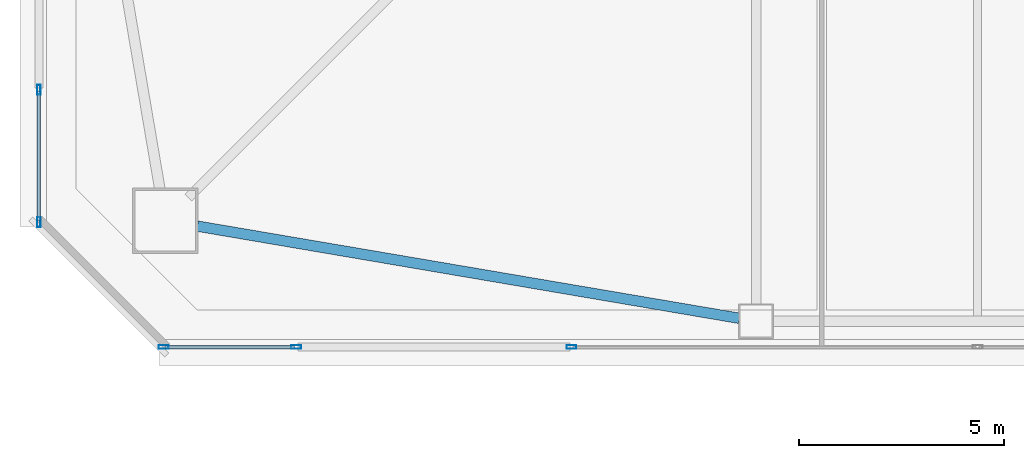
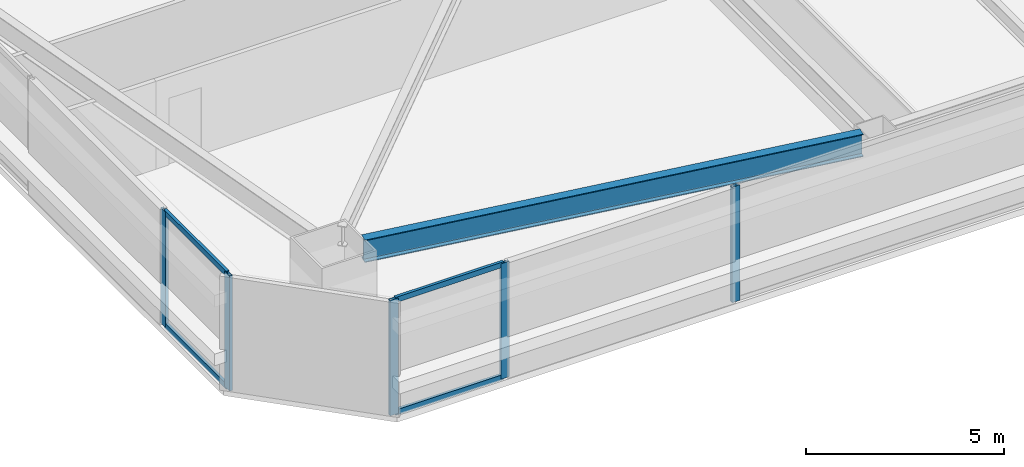
# One storey, part 3 of 51: 9 members, 1 beam, 3 elements without a shape of their own.
"""IFC4 building model written with IfcOpenShell, lengths in metres."""

from ifc_helpers import new_model, si_unit, direction, frame, origin, origin_2d, place, context, subcontext, project, spatial, hollow_rectangle, i_section, extrude, material, material_profile, profile_set, type_object, element, aggregate, save


model = new_model("IFC4")

# Units and contexts
model_context = context("Model", 3, precision=1e-05, world=origin(), true_north=direction((0.0, 1.0)))
body_context = subcontext(model_context, "Body", "Model", "MODEL_VIEW")
ifc_project = project(units=[si_unit("LENGTHUNIT", "METRE"), si_unit("AREAUNIT", "SQUARE_METRE"), si_unit("VOLUMEUNIT", "CUBIC_METRE"), si_unit("PLANEANGLEUNIT", "RADIAN"), si_unit("MASSUNIT", "GRAM", prefix="KILO")], contexts=[model_context])

# Site, building, storey
site_placement = place(None, origin())
site = spatial("IfcSite", under=ifc_project, at=site_placement, CompositionType="ELEMENT")
building_placement = place(site_placement, origin())
building = spatial("IfcBuilding", under=site, at=building_placement, Name="Tashvorn Skyway Center", CompositionType="ELEMENT")
storey_placement = place(building_placement, frame((0.0, 0.0, 49.449951171875)))
storey = spatial("IfcBuildingStorey", under=building, at=storey_placement, Name="L12", CompositionType="ELEMENT", Elevation=49.449951171875)

# Beam
ifc_material_1 = material(Name="Steel ASTM A992 Grade 50", Category="steel")
ifc_material_profile_1 = material_profile(ifc_material_1, i_section(OverallWidth=0.256103515625, OverallDepth=0.693115234375, WebThickness=0.014404296875, FlangeThickness=0.023681640625, at=origin_2d()), Name="W27X114")
ifc_profile_set_1 = profile_set([ifc_material_profile_1], Name="Steel ASTM A992 Grade 50")
beam_type = type_object("IfcBeamType", Name="BM-SPANDREL-W27X114", PredefinedType="SPANDREL", material=ifc_profile_set_1)
beam_placement = place(storey_placement, frame((22.983642578125, 12.066650390625, 3.003662109375), z_axis=(0.985835025551, -0.16771792509, 0.0), x_axis=(0.16771792509, 0.985835025551, 0.0)))
element("IfcBeam", 1, at=beam_placement, inside=storey, type_object=beam_type, Name="Tower 1 L12 Spandrel Beam 01", PredefinedType="SPANDREL", context=body_context, shape_type="SweptSolid", body=[
    extrude(i_section(OverallWidth=0.256103515625, OverallDepth=0.693115234375, WebThickness=0.014404296875, FlangeThickness=0.023681640625, at=origin_2d()), origin(), (0.0, 0.0, 1.0), 13.39208984375),
])

# Curtain wall, member
ifc_material_2 = material(Name="Thermally broken bronze-anodized aluminium 6063-T6", Category="aluminium")
curtain_wall_type = type_object("IfcCurtainWallType", Name="CW-CW-Z1", PredefinedType="NOTDEFINED", material=ifc_material_2)
curtain_wall_1_placement = place(storey_placement, origin())
curtain_wall_1 = element("IfcCurtainWall", 2, at=curtain_wall_1_placement, inside=storey, type_object=curtain_wall_type, Name="Tower 1 L12 South Unitised Curtain Wall Glazing Group 2", PredefinedType="NOTDEFINED")
ifc_material_profile_2 = material_profile(ifc_material_2, hollow_rectangle(XDim=0.0849609375, YDim=0.239990234375, WallThickness=0.0048828125, at=origin_2d()), Name="ALU-MULL-85x240")
ifc_profile_set_2 = profile_set([ifc_material_profile_2], Name="Thermally broken bronze-anodized aluminium 6063-T6")
member_type_1 = type_object("IfcMemberType", Name="CWM-CW-Z1", PredefinedType="MULLION", material=ifc_profile_set_2)
member_1_placement = place(storey_placement, frame((32.1025390625, 9.1201171875, 0.0), z_axis=(0.0, 0.0, 1.0), x_axis=(0.0, -1.0, 0.0)))
member_1 = element("IfcMember", 3, at=member_1_placement, type_object=member_type_1, Name="CW-Z1 mullion 3", PredefinedType="MULLION", context=body_context, shape_type="SweptSolid", body=[
    extrude(hollow_rectangle(XDim=0.0849609375, YDim=0.239990234375, WallThickness=0.0048828125, at=origin_2d()), origin(), (0.0, 0.0, 1.0), 3.550048828125),
])
aggregate(curtain_wall_1, [member_1])

# Curtain wall, members
curtain_wall_2_placement = place(storey_placement, origin())
curtain_wall_2 = element("IfcCurtainWall", 4, at=curtain_wall_2_placement, inside=storey, type_object=curtain_wall_type, Name="Tower 1 L12 South Unitised Curtain Wall Glazing Group 3", PredefinedType="NOTDEFINED")
member_2_placement = place(storey_placement, frame((25.390869140625, 9.1201171875, 0.0), z_axis=(0.0, 0.0, 1.0), x_axis=(0.0, -1.0, 0.0)))
member_2 = element("IfcMember", 5, at=member_2_placement, type_object=member_type_1, Name="CW-Z1 mullion 1", PredefinedType="MULLION", context=body_context, shape_type="SweptSolid", body=[
    extrude(hollow_rectangle(XDim=0.0849609375, YDim=0.239990234375, WallThickness=0.0048828125, at=origin_2d()), origin(), (0.0, 0.0, 1.0), 3.550048828125),
])
member_3_placement = place(storey_placement, frame((22.16259765625, 9.1201171875, 0.0), z_axis=(0.0, 0.0, 1.0), x_axis=(0.0, -1.0, 0.0)))
member_3 = element("IfcMember", 6, at=member_3_placement, type_object=member_type_1, Name="CW-Z1 mullion 2", PredefinedType="MULLION", context=body_context, shape_type="SweptSolid", body=[
    extrude(hollow_rectangle(XDim=0.0849609375, YDim=0.239990234375, WallThickness=0.0048828125, at=origin_2d()), origin(), (0.0, 0.0, 1.0), 3.550048828125),
])

curtain_wall_3_placement = place(storey_placement, origin())
curtain_wall_3 = element("IfcCurtainWall", 7, at=curtain_wall_3_placement, inside=storey, type_object=curtain_wall_type, Name="Tower 1 L12 West Unitised Curtain Wall Glazing Group 1", PredefinedType="NOTDEFINED")
member_4_placement = place(storey_placement, frame((19.1201171875, 12.16259765625, 0.0), z_axis=(0.0, 0.0, 1.0), x_axis=(-1.0, 0.0, 0.0)))
member_4 = element("IfcMember", 8, at=member_4_placement, type_object=member_type_1, Name="CW-Z1 mullion 1", PredefinedType="MULLION", context=body_context, shape_type="SweptSolid", body=[
    extrude(hollow_rectangle(XDim=0.0849609375, YDim=0.239990234375, WallThickness=0.0048828125, at=origin_2d()), origin(), (0.0, 0.0, 1.0), 3.550048828125),
])
member_5_placement = place(storey_placement, frame((19.1201171875, 15.390869140625, 0.0), z_axis=(0.0, 0.0, 1.0), x_axis=(-1.0, 0.0, 0.0)))
member_5 = element("IfcMember", 9, at=member_5_placement, type_object=member_type_1, Name="CW-Z1 mullion 2", PredefinedType="MULLION", context=body_context, shape_type="SweptSolid", body=[
    extrude(hollow_rectangle(XDim=0.0849609375, YDim=0.239990234375, WallThickness=0.0048828125, at=origin_2d()), origin(), (0.0, 0.0, 1.0), 3.550048828125),
])

# Member
ifc_material_profile_3 = material_profile(ifc_material_2, hollow_rectangle(XDim=0.0849609375, YDim=0.1650390625, WallThickness=0.0048828125, at=origin_2d()), Name="ALU-TRAN-85x165")
ifc_profile_set_3 = profile_set([ifc_material_profile_3], Name="Thermally broken bronze-anodized aluminium 6063-T6")
member_type_2 = type_object("IfcMemberType", Name="CWT-CW-Z1", PredefinedType="USERDEFINED", material=ifc_profile_set_3)
member_6_placement = place(storey_placement, frame((25.348388671875, 9.1201171875, 0.04248046875), z_axis=(-1.0, 0.0, 0.0), x_axis=(0.0, -1.0, 0.0)))
member_6 = element("IfcMember", 10, at=member_6_placement, type_object=member_type_2, Name="CW-Z1 transom 1.1", ObjectType="TRANSOM", PredefinedType="USERDEFINED", context=body_context, shape_type="SweptSolid", body=[
    extrude(hollow_rectangle(XDim=0.0849609375, YDim=0.1650390625, WallThickness=0.0048828125, at=origin_2d()), origin(), (0.0, 0.0, 1.0), 3.143310546875),
])

member_7_placement = place(storey_placement, frame((25.348388671875, 9.1201171875, 3.507568359375), z_axis=(-1.0, 0.0, 0.0), x_axis=(0.0, -1.0, 0.0)))
member_7 = element("IfcMember", 11, at=member_7_placement, type_object=member_type_2, Name="CW-Z1 transom 1.2", ObjectType="TRANSOM", PredefinedType="USERDEFINED", context=body_context, shape_type="SweptSolid", body=[
    extrude(hollow_rectangle(XDim=0.0849609375, YDim=0.1650390625, WallThickness=0.0048828125, at=origin_2d()), origin(), (0.0, 0.0, 1.0), 3.143310546875),
])

aggregate(curtain_wall_2, [member_2, member_3, member_6, member_7])

member_8_placement = place(storey_placement, frame((19.1201171875, 12.205078125, 0.04248046875), z_axis=(0.0, 1.0, 0.0), x_axis=(-1.0, 0.0, 0.0)))
member_8 = element("IfcMember", 12, at=member_8_placement, type_object=member_type_2, Name="CW-Z1 transom 1.1", ObjectType="TRANSOM", PredefinedType="USERDEFINED", context=body_context, shape_type="SweptSolid", body=[
    extrude(hollow_rectangle(XDim=0.0849609375, YDim=0.1650390625, WallThickness=0.0048828125, at=origin_2d()), origin(), (0.0, 0.0, 1.0), 3.143310546875),
])

member_9_placement = place(storey_placement, frame((19.1201171875, 12.205078125, 3.507568359375), z_axis=(0.0, 1.0, 0.0), x_axis=(-1.0, 0.0, 0.0)))
member_9 = element("IfcMember", 13, at=member_9_placement, type_object=member_type_2, Name="CW-Z1 transom 1.2", ObjectType="TRANSOM", PredefinedType="USERDEFINED", context=body_context, shape_type="SweptSolid", body=[
    extrude(hollow_rectangle(XDim=0.0849609375, YDim=0.1650390625, WallThickness=0.0048828125, at=origin_2d()), origin(), (0.0, 0.0, 1.0), 3.143310546875),
])

aggregate(curtain_wall_3, [member_4, member_5, member_8, member_9])

save(model, "model.ifc")
